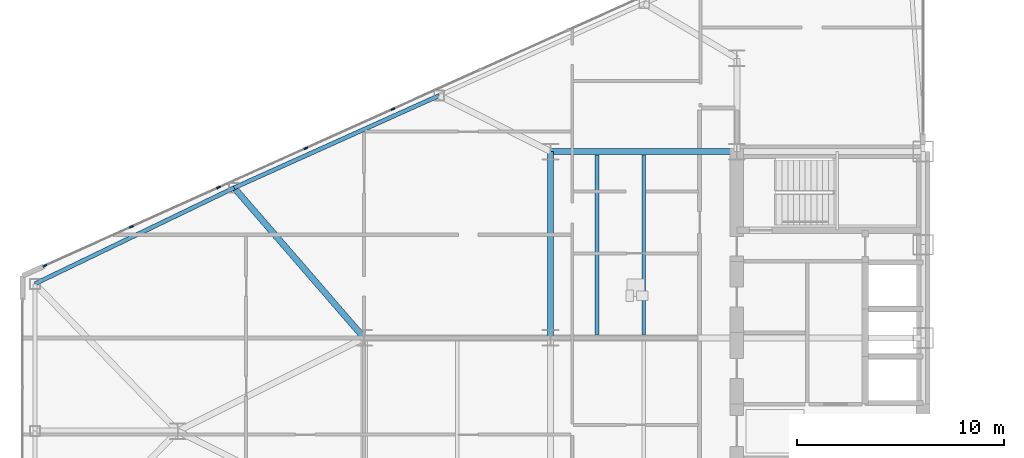
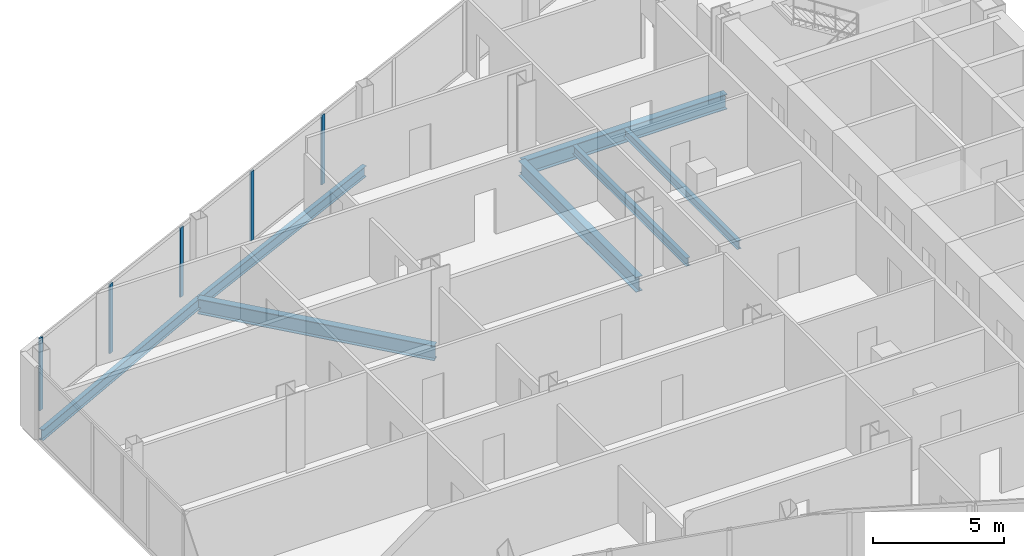
# One storey, part 7 of 27: 7 beams, 5 members, 1 element without a shape of its own.
"""IFC4 building model written with IfcOpenShell, lengths in metres."""

from ifc_helpers import new_model, si_unit, direction, frame, origin, origin_2d, place, context, subcontext, project, spatial, rectangle, i_section, extrude, source, transform, mapped, material, layer, layer_set, material_profile, profile_set, type_object, type_shapes, element, aggregate, save


model = new_model("IFC4")

# Units and contexts
model_context = context("Model", 3, precision=1e-05, world=origin(), true_north=direction((0.0, 1.0)))
body_context = subcontext(model_context, "Body", "Model", "MODEL_VIEW")
ifc_project = project(units=[si_unit("LENGTHUNIT", "METRE"), si_unit("AREAUNIT", "SQUARE_METRE"), si_unit("VOLUMEUNIT", "CUBIC_METRE"), si_unit("PLANEANGLEUNIT", "RADIAN"), si_unit("MASSUNIT", "GRAM", prefix="KILO")], contexts=[model_context])

# Site, building, storey
site_placement = place(None, origin())
site = spatial("IfcSite", under=ifc_project, at=site_placement, CompositionType="ELEMENT")
building_placement = place(site_placement, origin())
building = spatial("IfcBuilding", under=site, at=building_placement, Name="Seokmaru Belvedere", CompositionType="ELEMENT")
storey_placement = place(building_placement, frame((0.0, 0.0, 72.89990234375)))
storey = spatial("IfcBuildingStorey", under=building, at=storey_placement, Name="L19", CompositionType="ELEMENT", Elevation=72.89990234375)

# Beams
ifc_material_1 = material(Name="Steel SM355 (355 MPa)", Category="steel")
ifc_material_profile_1 = material_profile(ifc_material_1, i_section(OverallWidth=0.300048828125, OverallDepth=0.699951171875, WebThickness=0.012939453125, FlangeThickness=0.02392578125, at=origin_2d()), Name="H-700x300x13x24")
ifc_profile_set_1 = profile_set([ifc_material_profile_1], Name="Steel SM355 (355 MPa)")
beam_type_1 = type_object("IfcBeamType", Name="Primary Floor Girder H-700", PredefinedType="BEAM", material=ifc_profile_set_1)
shared_shape_1 = source(origin(), body_context, "Body", "SweptSolid", [
    extrude(i_section(OverallWidth=0.300048828125, OverallDepth=0.699951171875, WebThickness=0.012939453125, FlangeThickness=0.02392578125, at=origin_2d()), origin(), (0.0, 0.0, 1.0), 9.0),
])
for number, where, z_axis, x_axis, name in (
    (1, (-45.5, 4.5, -0.56982421875), (0.0, 1.0, 0.0), (-1.0, 0.0, 0.0), "L19 W Interior Grid Girder 3"),
    (2, (-45.5, 13.5, -0.56982421875), (1.0, 0.0, 0.0), (0.0, 1.0, 0.0), "L19 W Wing Primary Girder 4"),
):
    element("IfcBeam", number, at=place(storey_placement, frame(where, z_axis=z_axis, x_axis=x_axis)), inside=storey, type_object=beam_type_1, Name=name, PredefinedType="BEAM", context=body_context, shape_type="MappedRepresentation", body=[
        mapped(shared_shape_1, transform((0.0, 0.0, 0.0), scale=1.0)),
    ])
ifc_material_profile_2 = material_profile(ifc_material_1, i_section(OverallWidth=0.18505859375, OverallDepth=0.389892578125, WebThickness=0.008056640625, FlangeThickness=0.011962890625, at=origin_2d()), Name="H-390x185x8x12")
ifc_profile_set_2 = profile_set([ifc_material_profile_2], Name="Steel SM355 (355 MPa)")
beam_type_2 = type_object("IfcBeamType", Name="Secondary Floor Joist H-350", PredefinedType="JOIST", material=ifc_profile_set_2)
shared_shape_2 = source(origin(), body_context, "Body", "SweptSolid", [
    extrude(i_section(OverallWidth=0.18505859375, OverallDepth=0.389892578125, WebThickness=0.008056640625, FlangeThickness=0.011962890625, at=origin_2d()), origin(), (0.0, 0.0, 1.0), 8.68994140625),
])
type_shapes(beam_type_2, [shared_shape_2])
for number, where, z_axis, x_axis, name in (
    (3, (-43.25, 4.655029296875, -0.414794921875), (0.0, 1.0, 0.0), (-1.0, 0.0, 0.0), "L19 W Wing Inner Secondary Joist 2"),
    (4, (-41.0, 4.655029296875, -0.414794921875), (0.0, 1.0, 0.0), (-1.0, 0.0, 0.0), "L19 W Secondary Floor Joist 3"),
):
    element("IfcBeam", number, at=place(storey_placement, frame(where, z_axis=z_axis, x_axis=x_axis)), inside=storey, type_object=beam_type_2, Name=name, PredefinedType="JOIST", context=body_context, shape_type="MappedRepresentation", body=[
        mapped(shared_shape_2, transform((0.0, 0.0, 0.0), scale=1.0)),
    ])
ifc_material_profile_3 = material_profile(ifc_material_1, i_section(OverallWidth=0.199951171875, OverallDepth=0.5, WebThickness=0.010009765625, FlangeThickness=0.01611328125, at=origin_2d()), Name="H-500x200x10x16")
ifc_profile_set_3 = profile_set([ifc_material_profile_3], Name="Steel SM355 (355 MPa)")
beam_type_3 = type_object("IfcBeamType", Name="Perimeter Spandrel Beam H-500", PredefinedType="SPANDREL", material=ifc_profile_set_3)
shared_shape_3 = source(origin(), body_context, "Body", "SweptSolid", [
    extrude(i_section(OverallWidth=0.199951171875, OverallDepth=0.5, WebThickness=0.010009765625, FlangeThickness=0.01611328125, at=origin_2d()), origin(), (0.0, 0.0, 1.0), 10.85888671875),
])
beam_1_placement = place(storey_placement, frame((-50.875, 16.205322265625, -0.469970703125), z_axis=(-0.911925291223, -0.410356263785, 0.0), x_axis=(0.410356263785, -0.911925291223, 0.0)))
element("IfcBeam", 5, at=beam_1_placement, inside=storey, type_object=beam_type_3, Name="L19 W Faceted Flank Spandrel N-3", PredefinedType="SPANDREL", context=body_context, shape_type="MappedRepresentation", body=[
    mapped(shared_shape_3, transform((0.0, 0.0, 0.0), scale=1.0)),
])
shared_shape_4 = source(origin(), body_context, "Body", "SweptSolid", [
    extrude(i_section(OverallWidth=0.199951171875, OverallDepth=0.5, WebThickness=0.010009765625, FlangeThickness=0.01611328125, at=origin_2d()), origin(), (0.0, 0.0, 1.0), 10.681396484375),
])
type_shapes(beam_type_3, [shared_shape_3, shared_shape_4])
beam_2_placement = place(storey_placement, frame((-60.777587890625, 11.749267578125, -0.469970703125), z_axis=(-0.900846426616, -0.434137899352, 0.0), x_axis=(0.434137899352, -0.900846426616, 0.0)))
element("IfcBeam", 6, at=beam_2_placement, inside=storey, type_object=beam_type_3, Name="L19 W Faceted Flank Spandrel N-4", PredefinedType="SPANDREL", context=body_context, shape_type="MappedRepresentation", body=[
    mapped(shared_shape_4, transform((0.0, 0.0, 0.0), scale=1.0)),
])
shared_shape_5 = source(origin(), body_context, "Body", "SweptSolid", [
    extrude(i_section(OverallWidth=0.300048828125, OverallDepth=0.699951171875, WebThickness=0.012939453125, FlangeThickness=0.02392578125, at=origin_2d()), origin(), (0.0, 0.0, 1.0), 9.589599609375),
])
type_shapes(beam_type_1, [shared_shape_1, shared_shape_5])
beam_3_placement = place(storey_placement, frame((-60.777587890625, 11.749267578125, -0.56982421875), z_axis=(0.654626140929, -0.755952786629, 0.0), x_axis=(0.755952786629, 0.654626140929, 0.0)))
element("IfcBeam", 7, at=beam_3_placement, inside=storey, type_object=beam_type_1, Name="L19 W Flank Radial Floor Girder N-3", PredefinedType="BEAM", context=body_context, shape_type="MappedRepresentation", body=[
    mapped(shared_shape_5, transform((0.0, 0.0, 0.0), scale=1.0)),
])

# Curtain wall, members
ifc_material_2 = material(Name="Bronze Triple Insulating Glass", Category="glass")
ifc_layer = layer(ifc_material_2, 0.195068359375)
ifc_layer_set = layer_set([ifc_layer], Name="Bronze Triple Insulating Glass")
curtain_wall_type = type_object("IfcCurtainWallType", Name="Lower-Mid Tapered Curtain Wall System CW-3", PredefinedType="NOTDEFINED", material=ifc_layer_set)
curtain_wall_placement = place(storey_placement, origin())
curtain_wall = element("IfcCurtainWall", 8, at=curtain_wall_placement, inside=storey, type_object=curtain_wall_type, Name="L19 Curtain Wall WF3", PredefinedType="NOTDEFINED")
ifc_material_3 = material(Name="Anodised Bronze Aluminium", Category="aluminium")
ifc_material_profile_4 = material_profile(ifc_material_3, rectangle(XDim=0.070068359375, YDim=0.195068359375, at=origin_2d()), Name="CW-M-70x195")
ifc_profile_set_4 = profile_set([ifc_material_profile_4], Name="Anodised Bronze Aluminium")
member_type = type_object("IfcMemberType", Name="Bronze Unitised Mullion 70x195", PredefinedType="MULLION", material=ifc_profile_set_4)
shared_shape_6 = source(origin(), body_context, "Body", "SweptSolid", [
    extrude(rectangle(XDim=0.070068359375, YDim=0.195068359375, at=origin_2d()), origin(), (0.0, 0.0, 1.0), 3.239990234375),
])
member_1_placement = place(storey_placement, frame((-53.105712890625, 15.552490234375, 0.070068359375), z_axis=(0.0, 0.0, 1.0), x_axis=(0.41036554765, -0.91192111353, 0.0)))
member_1 = element("IfcMember", 9, at=member_1_placement, type_object=member_type, Name="CW:L19:WF3 Mullion 6", PredefinedType="MULLION", context=body_context, shape_type="MappedRepresentation", body=[
    mapped(shared_shape_6, transform((0.0, 0.0, 0.0), scale=1.0)),
])
member_2_placement = place(storey_placement, frame((-57.317138671875, 13.6572265625, 0.070068359375), z_axis=(0.0, 0.0, 1.0), x_axis=(0.41036554765, -0.91192111353, 0.0)))
member_2 = element("IfcMember", 10, at=member_2_placement, type_object=member_type, Name="CW:L19:WF3 Mullion 7", PredefinedType="MULLION", context=body_context, shape_type="MappedRepresentation", body=[
    mapped(shared_shape_6, transform((0.0, 0.0, 0.0), scale=1.0)),
])
member_3_placement = place(storey_placement, frame((-61.528564453125, 11.76220703125, 0.070068359375), z_axis=(0.0, 0.0, 1.0), x_axis=(0.41036554765, -0.91192111353, 0.0)))
member_3 = element("IfcMember", 11, at=member_3_placement, type_object=member_type, Name="CW:L19:WF3 Mullion 8", PredefinedType="MULLION", context=body_context, shape_type="MappedRepresentation", body=[
    mapped(shared_shape_6, transform((0.0, 0.0, 0.0), scale=1.0)),
])
member_4_placement = place(storey_placement, frame((-65.739990234375, 9.866943359375, 0.070068359375), z_axis=(0.0, 0.0, 1.0), x_axis=(0.41036554765, -0.91192111353, 0.0)))
member_4 = element("IfcMember", 12, at=member_4_placement, type_object=member_type, Name="CW:L19:WF3 Mullion 9", PredefinedType="MULLION", context=body_context, shape_type="MappedRepresentation", body=[
    mapped(shared_shape_6, transform((0.0, 0.0, 0.0), scale=1.0)),
])
shared_shape_7 = source(origin(), body_context, "Body", "SweptSolid", [
    extrude(rectangle(XDim=0.070068359375, YDim=0.195068359375, at=origin_2d()), origin(), (0.0, 0.0, 1.0), 3.380126953125),
])
type_shapes(member_type, [shared_shape_6, shared_shape_7])
member_5_placement = place(storey_placement, frame((-69.91943359375, 7.986328125, 0.0), z_axis=(0.0, 0.0, 1.0), x_axis=(0.41036554765, -0.91192111353, 0.0)))
member_5 = element("IfcMember", 13, at=member_5_placement, type_object=member_type, Name="CW:L19:WF3 Mullion 10", PredefinedType="MULLION", context=body_context, shape_type="MappedRepresentation", body=[
    mapped(shared_shape_7, transform((0.0, 0.0, 0.0), scale=1.0)),
])
aggregate(curtain_wall, [member_1, member_2, member_3, member_4, member_5])

save(model, "model.ifc")
